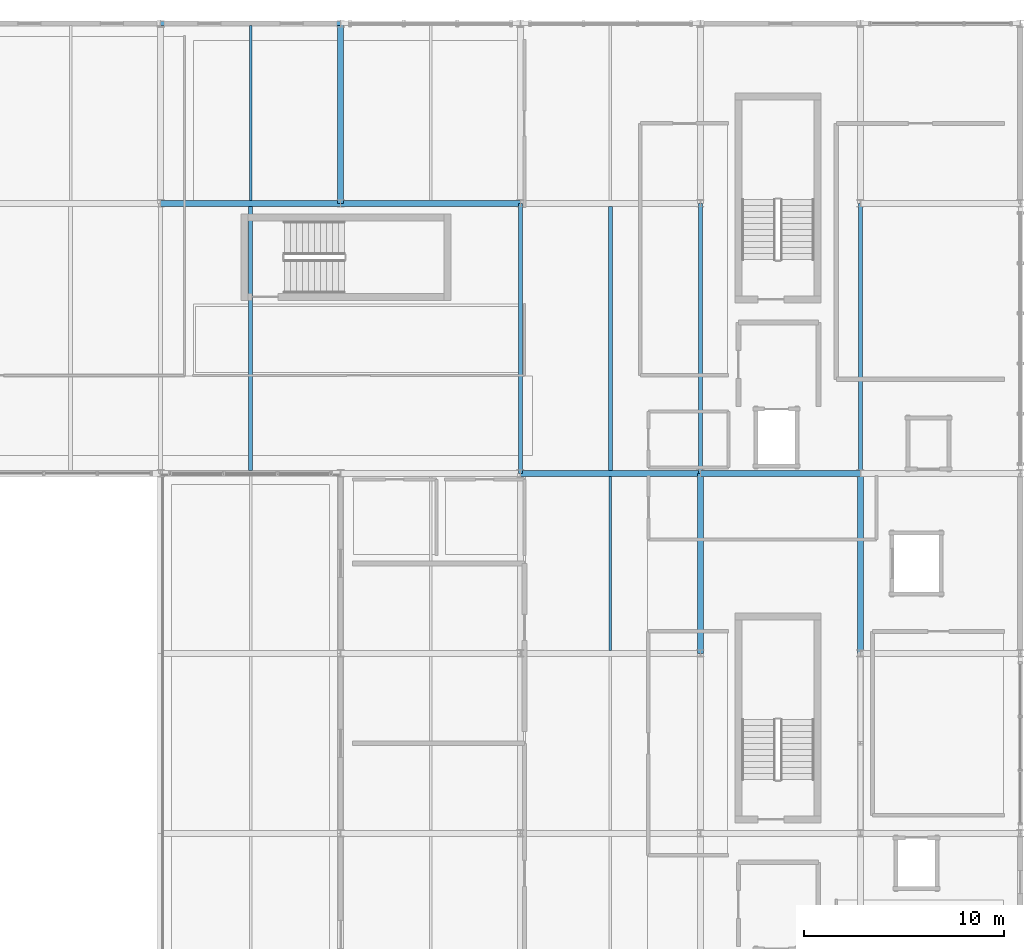
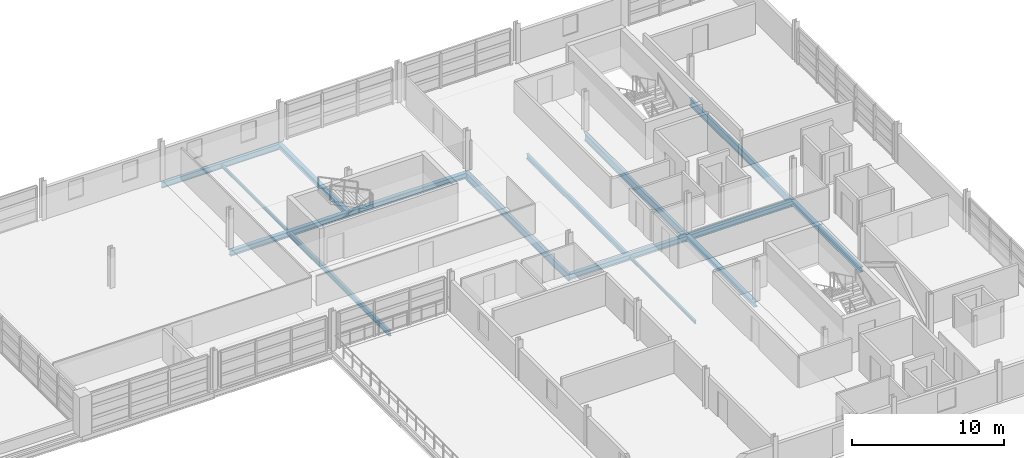
# One storey, part 13 of 30: 15 beams.
"""IFC4 building model written with IfcOpenShell, lengths in metres."""

from ifc_helpers import new_model, si_unit, direction, frame, origin, origin_2d, place, context, subcontext, project, spatial, i_section, extrude, material, material_profile, profile_set, type_object, element, save


model = new_model("IFC4")

# Units and contexts
model_context = context("Model", 3, precision=1e-05, world=origin(), true_north=direction((0.0, 1.0)))
body_context = subcontext(model_context, "Body", "Model", "MODEL_VIEW")
ifc_project = project(units=[si_unit("LENGTHUNIT", "METRE"), si_unit("AREAUNIT", "SQUARE_METRE"), si_unit("VOLUMEUNIT", "CUBIC_METRE"), si_unit("PLANEANGLEUNIT", "RADIAN"), si_unit("MASSUNIT", "GRAM", prefix="KILO")], contexts=[model_context])

# Site, building, storey
site_placement = place(None, origin())
site = spatial("IfcSite", under=ifc_project, at=site_placement, CompositionType="ELEMENT")
building_placement = place(site_placement, origin())
building = spatial("IfcBuilding", under=site, at=building_placement, Name="Chuanluo Vaults Station", CompositionType="ELEMENT")
storey_placement = place(building_placement, frame((0.0, 0.0, 17.60009765625)))
storey = spatial("IfcBuildingStorey", under=building, at=storey_placement, Name="L04", CompositionType="ELEMENT", Elevation=17.60009765625)

# Beams
ifc_material_1 = material(Name="Steel Q355C", Category="steel")
ifc_material_profile_1 = material_profile(ifc_material_1, i_section(OverallWidth=0.300048828125, OverallDepth=0.389892578125, WebThickness=0.010009765625, FlangeThickness=0.01611328125, FilletRadius=0.02001953125, at=origin_2d()))
ifc_profile_set_1 = profile_set([ifc_material_profile_1], Name="Steel Q355C")
beam_type_1 = type_object("IfcBeamType", Name="BM-GRD-400", PredefinedType="BEAM", material=ifc_profile_set_1)
for number, where, z_axis, x_axis, name in (
    (1, (154.0, 117.0, -0.39501953125), (0.0, 1.0, 0.0), (-1.0, 0.0, 0.0), "Floor girder BM:GY:L04:0923"),
    (2, (172.0, 94.5, -0.39501953125), (0.0, 1.0, 0.0), (-1.0, 0.0, 0.0), "Floor girder BM:GY:L04:0939"),
    (3, (180.0, 94.5, -0.39501953125), (0.0, 1.0, 0.0), (-1.0, 0.0, 0.0), "Floor girder BM:GY:L04:0945"),
):
    element("IfcBeam", number, at=place(storey_placement, frame(where, z_axis=z_axis, x_axis=x_axis)), inside=storey, type_object=beam_type_1, Name=name, PredefinedType="BEAM", context=body_context, shape_type="SweptSolid", body=[
        extrude(i_section(OverallWidth=0.300048828125, OverallDepth=0.389892578125, WebThickness=0.010009765625, FlangeThickness=0.01611328125, FilletRadius=0.02001953125, at=origin_2d()), origin(), (0.0, 0.0, 1.0), 9.0),
    ])
ifc_material_2 = material(Name="Steel Q355C", Category="steel")
ifc_material_profile_2 = material_profile(ifc_material_2, i_section(OverallWidth=0.300048828125, OverallDepth=0.43994140625, WebThickness=0.010986328125, FlangeThickness=0.01806640625, FilletRadius=0.02001953125, at=origin_2d()))
ifc_profile_set_2 = profile_set([ifc_material_profile_2], Name="Steel Q355C")
beam_type_2 = type_object("IfcBeamType", Name="BM-GRD-450", PredefinedType="USERDEFINED", material=ifc_profile_set_2)
beam_1_placement = place(storey_placement, frame((163.0, 103.5, -0.420166015625), z_axis=(1.0, 0.0, 0.0), x_axis=(0.0, 1.0, 0.0)))
element("IfcBeam", 4, at=beam_1_placement, inside=storey, type_object=beam_type_2, Name="Floor girder BM:GX:L04:0880", ObjectType="GIRDER", PredefinedType="USERDEFINED", context=body_context, shape_type="SweptSolid", body=[
    extrude(i_section(OverallWidth=0.300048828125, OverallDepth=0.43994140625, WebThickness=0.010986328125, FlangeThickness=0.01806640625, FilletRadius=0.02001953125, at=origin_2d()), origin(), (0.0, 0.0, 1.0), 9.0),
])
beam_2_placement = place(storey_placement, frame((172.0, 103.5, -0.420166015625), z_axis=(1.0, 0.0, 0.0), x_axis=(0.0, 1.0, 0.0)))
element("IfcBeam", 5, at=beam_2_placement, inside=storey, type_object=beam_type_2, Name="Floor girder BM:GX:L04:0881", ObjectType="GIRDER", PredefinedType="USERDEFINED", context=body_context, shape_type="SweptSolid", body=[
    extrude(i_section(OverallWidth=0.300048828125, OverallDepth=0.43994140625, WebThickness=0.010986328125, FlangeThickness=0.01806640625, FilletRadius=0.02001953125, at=origin_2d()), origin(), (0.0, 0.0, 1.0), 8.0),
])
for number, where, z_axis, x_axis, name in (
    (6, (145.0, 117.0, -0.420166015625), (1.0, 0.0, 0.0), (0.0, 1.0, 0.0), "Floor girder BM:GX:L04:0886"),
    (7, (154.0, 117.0, -0.420166015625), (1.0, 0.0, 0.0), (0.0, 1.0, 0.0), "Floor girder BM:GX:L04:0887"),
):
    element("IfcBeam", number, at=place(storey_placement, frame(where, z_axis=z_axis, x_axis=x_axis)), inside=storey, type_object=beam_type_2, Name=name, ObjectType="GIRDER", PredefinedType="USERDEFINED", context=body_context, shape_type="SweptSolid", body=[
        extrude(i_section(OverallWidth=0.300048828125, OverallDepth=0.43994140625, WebThickness=0.010986328125, FlangeThickness=0.01806640625, FilletRadius=0.02001953125, at=origin_2d()), origin(), (0.0, 0.0, 1.0), 9.0),
    ])
ifc_material_3 = material(Name="Steel Q355C", Category="steel")
ifc_material_profile_3 = material_profile(ifc_material_3, i_section(OverallWidth=0.199951171875, OverallDepth=0.60009765625, WebThickness=0.010986328125, FlangeThickness=0.01708984375, FilletRadius=0.01806640625, at=origin_2d()))
ifc_profile_set_3 = profile_set([ifc_material_profile_3], Name="Steel Q355C")
beam_type_3 = type_object("IfcBeamType", Name="BM-GRD-600", PredefinedType="USERDEFINED", material=ifc_profile_set_3)
for number, where, z_axis, x_axis, name in (
    (8, (163.0, 103.5, -0.5), (0.0, 1.0, 0.0), (-1.0, 0.0, 0.0), "Floor girder BM:GY:L04:0931"),
    (9, (172.0, 103.5, -0.5), (0.0, 1.0, 0.0), (-1.0, 0.0, 0.0), "Floor girder BM:GY:L04:0940"),
    (10, (180.0, 103.5, -0.5), (0.0, 1.0, 0.0), (-1.0, 0.0, 0.0), "Floor girder BM:GY:L04:0946"),
):
    element("IfcBeam", number, at=place(storey_placement, frame(where, z_axis=z_axis, x_axis=x_axis)), inside=storey, type_object=beam_type_3, Name=name, ObjectType="GIRDER", PredefinedType="USERDEFINED", context=body_context, shape_type="SweptSolid", body=[
        extrude(i_section(OverallWidth=0.199951171875, OverallDepth=0.60009765625, WebThickness=0.010986328125, FlangeThickness=0.01708984375, FilletRadius=0.01806640625, at=origin_2d()), origin(), (0.0, 0.0, 1.0), 13.5),
    ])
ifc_material_4 = material(Name="Steel Q355C", Category="steel")
ifc_material_profile_4 = material_profile(ifc_material_4, i_section(OverallWidth=0.125, OverallDepth=0.25, WebThickness=0.006103515625, FlangeThickness=0.009033203125, FilletRadius=0.011962890625, at=origin_2d()))
ifc_profile_set_4 = profile_set([ifc_material_profile_4], Name="Steel Q355C")
beam_type_4 = type_object("IfcBeamType", Name="BM-SEC-250", PredefinedType="JOIST", material=ifc_profile_set_4)
beam_3_placement = place(storey_placement, frame((149.5, 117.155029296875, -0.3251953125), z_axis=(0.0, 1.0, 0.0), x_axis=(-1.0, 0.0, 0.0)))
element("IfcBeam", 11, at=beam_3_placement, inside=storey, type_object=beam_type_4, Name="Composite secondary joist 0276", PredefinedType="JOIST", context=body_context, shape_type="SweptSolid", body=[
    extrude(i_section(OverallWidth=0.125, OverallDepth=0.25, WebThickness=0.006103515625, FlangeThickness=0.009033203125, FilletRadius=0.011962890625, at=origin_2d()), origin(), (0.0, 0.0, 1.0), 8.737548828125),
])
beam_4_placement = place(storey_placement, frame((167.5, 94.655029296875, -0.3251953125), z_axis=(0.0, 1.0, 0.0), x_axis=(-1.0, 0.0, 0.0)))
element("IfcBeam", 12, at=beam_4_placement, inside=storey, type_object=beam_type_4, Name="Composite secondary joist 0291", PredefinedType="JOIST", context=body_context, shape_type="SweptSolid", body=[
    extrude(i_section(OverallWidth=0.125, OverallDepth=0.25, WebThickness=0.006103515625, FlangeThickness=0.009033203125, FilletRadius=0.011962890625, at=origin_2d()), origin(), (0.0, 0.0, 1.0), 8.68994140625),
])
ifc_material_5 = material(Name="Steel Q355C", Category="steel")
ifc_material_profile_5 = material_profile(ifc_material_5, i_section(OverallWidth=0.199951171875, OverallDepth=0.39990234375, WebThickness=0.008056640625, FlangeThickness=0.012939453125, FilletRadius=0.01611328125, at=origin_2d()))
ifc_profile_set_5 = profile_set([ifc_material_profile_5], Name="Steel Q355C")
beam_type_5 = type_object("IfcBeamType", Name="BM-SEC-400", PredefinedType="BEAM", material=ifc_profile_set_5)
for number, where, z_axis, x_axis, name in (
    (13, (149.5, 103.655029296875, -0.400146484375), (0.0, 1.0, 0.0), (-1.0, 0.0, 0.0), "Composite secondary joist 0275"),
    (14, (167.5, 103.655029296875, -0.400146484375), (0.0, 1.0, 0.0), (-1.0, 0.0, 0.0), "Composite secondary joist 0292"),
):
    element("IfcBeam", number, at=place(storey_placement, frame(where, z_axis=z_axis, x_axis=x_axis)), inside=storey, type_object=beam_type_5, Name=name, PredefinedType="BEAM", context=body_context, shape_type="SweptSolid", body=[
        extrude(i_section(OverallWidth=0.199951171875, OverallDepth=0.39990234375, WebThickness=0.008056640625, FlangeThickness=0.012939453125, FilletRadius=0.01611328125, at=origin_2d()), origin(), (0.0, 0.0, 1.0), 13.18994140625),
    ])
ifc_material_6 = material(Name="Steel Q355C", Category="steel")
ifc_material_profile_6 = material_profile(ifc_material_6, i_section(OverallWidth=0.205078125, OverallDepth=0.4599609375, WebThickness=0.009033203125, FlangeThickness=0.013916015625, FilletRadius=0.01611328125, at=origin_2d()))
ifc_profile_set_6 = profile_set([ifc_material_profile_6], Name="Steel Q355C")
beam_type_6 = type_object("IfcBeamType", Name="BM-SPN-450", PredefinedType="SPANDREL", material=ifc_profile_set_6)
beam_5_placement = place(storey_placement, frame((145.0, 126.0, -0.43017578125), z_axis=(1.0, 0.0, 0.0), x_axis=(0.0, 1.0, 0.0)))
element("IfcBeam", 15, at=beam_5_placement, inside=storey, type_object=beam_type_6, Name="Floor girder BM:GX:L04:0893", PredefinedType="SPANDREL", context=body_context, shape_type="SweptSolid", body=[
    extrude(i_section(OverallWidth=0.205078125, OverallDepth=0.4599609375, WebThickness=0.009033203125, FlangeThickness=0.013916015625, FilletRadius=0.01611328125, at=origin_2d()), origin(), (0.0, 0.0, 1.0), 9.0),
])

save(model, "model.ifc")
